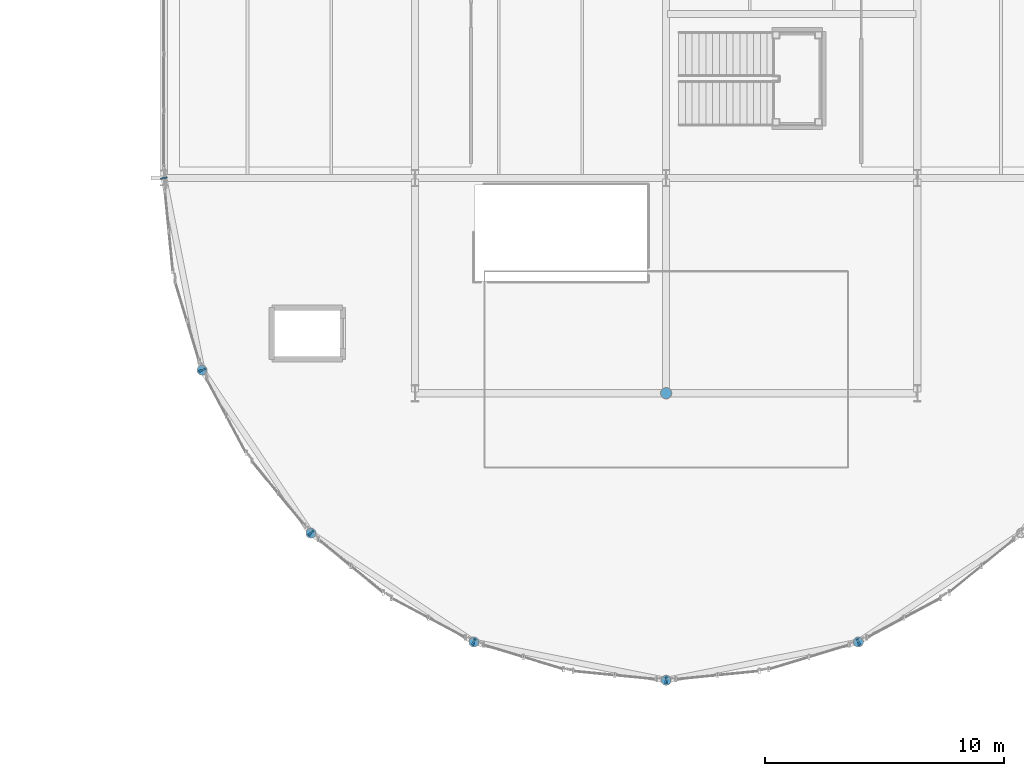
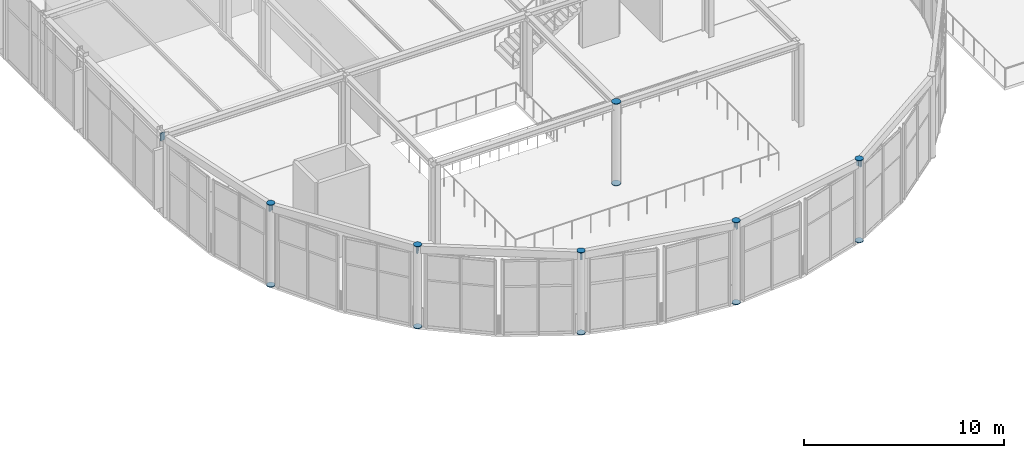
# One storey, part 125 of 195: 23 discrete accessories.
"""IFC4 building model written with IfcOpenShell, lengths in metres."""

import ifcopenshell
import ifcopenshell.guid

model = None  # the IFC model being written
_history = None  # IfcOwnerHistory: only IFC2X3 demands one
_inside = {}  # id of a spatial element -> (the spatial element, [elements in it])
_under = {}  # id of a project, library or spatial element -> (it, [spatial elements below it])
_declared = {}  # id of a project -> (the project, [libraries it declares])
_typed = {}  # id of a type object -> (the type object, [elements of that type])
_made_of = {}  # id of a material, layer set ... -> (it, [elements and type objects made of it])


def new_model(schema):
    """Start an empty IFC model of exactly this schema.

    Asked for "IFC4X3", IfcOpenShell would pick the latest addendum, in which some entities
    have other attributes; the version numbers below select the first issue.
    IFC2X3 requires an IfcOwnerHistory on every rooted entity: one is made here for all.
    """
    global model, _history
    if schema == "IFC4X3":
        model = ifcopenshell.file(schema_version=(4, 3, 0, 0))
    else:
        model = ifcopenshell.file(schema=schema)
    _inside.clear()
    _under.clear()
    _declared.clear()
    _typed.clear()
    _made_of.clear()
    _history = None
    if model.schema == "IFC2X3":
        org = make("IfcOrganization", Name="unknown")
        user = make(
            "IfcPersonAndOrganization",
            ThePerson=make("IfcPerson", FamilyName="unknown"),
            TheOrganization=org,
        )
        app = make(
            "IfcApplication",
            ApplicationDeveloper=org,
            Version="unknown",
            ApplicationFullName="unknown",
            ApplicationIdentifier="unknown",
        )
        _history = make(
            "IfcOwnerHistory",
            OwningUser=user,
            OwningApplication=app,
            ChangeAction="ADDED",
            CreationDate=0,
        )
    return model


def make(cls, **values):
    """One entity of the class cls with the attributes given. An attribute that is None is left unset."""
    return model.create_entity(
        cls, **{name: value for name, value in values.items() if value is not None}
    )


def rooted(cls, **values):
    """An entity with a GlobalId (a new one), such as an element, a storey or a relation."""
    return make(cls, GlobalId=ifcopenshell.guid.new(), OwnerHistory=_history, **values)


def si_unit(unit_type, name, prefix=None):
    """IfcSIUnit, for example si_unit("LENGTHUNIT", "METRE", prefix="MILLI")."""
    return make("IfcSIUnit", UnitType=unit_type, Prefix=prefix, Name=name)


def assignment(units):
    """IfcUnitAssignment: the units of a project."""
    return None if units is None else make("IfcUnitAssignment", Units=units)


def point(xyz):
    """IfcCartesianPoint."""
    return None if xyz is None else make("IfcCartesianPoint", Coordinates=xyz)


def direction(xyz):
    """IfcDirection."""
    return None if xyz is None else make("IfcDirection", DirectionRatios=xyz)


def frame(location, z_axis=None, x_axis=None):
    """IfcAxis2Placement3D, a coordinate frame: its origin and axes. An axis left out is left unset."""
    return make(
        "IfcAxis2Placement3D",
        Location=point(location),
        Axis=direction(z_axis),
        RefDirection=direction(x_axis),
    )


def frame_2d(location, x_axis=None):
    """IfcAxis2Placement2D, a coordinate frame in the plane: its origin and x axis."""
    return make(
        "IfcAxis2Placement2D", Location=point(location), RefDirection=direction(x_axis)
    )


def origin():
    """The frame at (0, 0, 0) with its axes left unset."""
    return frame((0.0, 0.0, 0.0))


def origin_2d():
    """The frame at (0, 0) in the plane with its x axis left unset."""
    return frame_2d((0.0, 0.0))


def place(relative_to, where):
    """IfcLocalPlacement: puts the frame where relative to a parent placement (None: the world)."""
    return make(
        "IfcLocalPlacement", PlacementRelTo=relative_to, RelativePlacement=where
    )


def context(
    kind, dimensions, precision=None, world=None, true_north=None, identifier=None
):
    """IfcGeometricRepresentationContext, for example the 3D "Model" context."""
    return make(
        "IfcGeometricRepresentationContext",
        ContextIdentifier=identifier,
        ContextType=kind,
        CoordinateSpaceDimension=dimensions,
        Precision=precision,
        WorldCoordinateSystem=world,
        TrueNorth=true_north,
    )


def subcontext(parent, identifier, kind, view, scale=None):
    """IfcGeometricRepresentationSubContext, for example "Body" below "Model"."""
    return make(
        "IfcGeometricRepresentationSubContext",
        ContextIdentifier=identifier,
        ContextType=kind,
        ParentContext=parent,
        TargetScale=scale,
        TargetView=view,
    )


def project(units=None, contexts=None):
    """IfcProject with its units and contexts."""
    return rooted(
        "IfcProject",
        Name="project",
        RepresentationContexts=contexts,
        UnitsInContext=assignment(units),
    )


def spatial(cls, under=None, at=None, **own):
    """A site, building, storey or space (cls), placed at a placement, below another one or the project."""
    s = rooted(cls, ObjectPlacement=at, **own)
    if under is not None:
        _under.setdefault(under.id(), (under, []))[1].append(s)
    return s


def profile(cls, at=None, kind="AREA", **sizes):
    """A parametric profile (cls). Its sizes go by their IFC names, for example OverallWidth=200.0."""
    return make(cls, ProfileType=kind, Position=at, **sizes)


def rectangle(**sizes):
    """IfcRectangleProfileDef."""
    return profile("IfcRectangleProfileDef", **sizes)


def circle(**sizes):
    """IfcCircleProfileDef."""
    return profile("IfcCircleProfileDef", **sizes)


def extrude(swept, where, along, depth):
    """IfcExtrudedAreaSolid: the profile swept, set in the frame where, extruded along a direction by depth."""
    return make(
        "IfcExtrudedAreaSolid",
        SweptArea=swept,
        Position=where,
        ExtrudedDirection=direction(along),
        Depth=depth,
    )


def shape(context_of_items, identifier, shape_type, items):
    """IfcShapeRepresentation: the items that make up one representation, for example the "Body"."""
    return make(
        "IfcShapeRepresentation",
        ContextOfItems=context_of_items,
        RepresentationIdentifier=identifier,
        RepresentationType=shape_type,
        Items=items,
    )


def material(Name=None, Category=None):
    """IfcMaterial."""
    return make("IfcMaterial", Name=Name, Category=Category)


def made_of(thing, what):
    """Note that an element or type object is made of a material, layer set ...; save() writes the relation."""
    if what is not None:
        _made_of.setdefault(what.id(), (what, []))[1].append(thing)
    return thing


def element(
    cls,
    number,
    at=None,
    inside=None,
    cuts=None,
    type_object=None,
    material=None,
    context=None,
    identifier="Body",
    shape_type=None,
    held_by="IfcProductDefinitionShape",
    body=None,
    shapes=None,
    **own,
):
    """One element of the class cls, such as IfcWall. Its Tag is "e" and its number.

    at: its placement. inside: the storey or other place that contains it. cuts: it is an
    opening in that element (IfcRelVoidsElement). A single representation is given by context,
    identifier, shape_type and body (its items); several are given by shapes. held_by: the class
    of the entity that holds the representations. save() writes the other relations.
    """
    e = rooted(cls, Tag="e%d" % number, ObjectPlacement=at, **own)
    if body is not None:
        shapes = [shape(context, identifier, shape_type, body)]
    if shapes is not None:
        e.Representation = make(held_by, Representations=shapes)
    if inside is not None:
        _inside.setdefault(inside.id(), (inside, []))[1].append(e)
    if cuts is not None:
        rooted(
            "IfcRelVoidsElement", RelatingBuildingElement=cuts, RelatedOpeningElement=e
        )
    if type_object is not None:
        _typed.setdefault(type_object.id(), (type_object, []))[1].append(e)
    return made_of(e, material)


def aggregate(whole, parts):
    """IfcRelAggregates: a whole, such as a stair, and the parts it consists of."""
    return rooted("IfcRelAggregates", RelatingObject=whole, RelatedObjects=parts)


def save(model, path):
    """Write the relations noted so far, then the file.

    IfcRelAggregates (storeys below a building ...), IfcRelContainedInSpatialStructure (elements
    in a storey), IfcRelDefinesByType, IfcRelAssociatesMaterial and IfcRelDeclares: one each for
    every whole, place, type object, material and project.
    """
    for whole, parts in _under.values():
        aggregate(whole, parts)
    for where, things in _inside.values():
        rooted(
            "IfcRelContainedInSpatialStructure",
            RelatedElements=things,
            RelatingStructure=where,
        )
    for kind, things in _typed.values():
        rooted("IfcRelDefinesByType", RelatedObjects=things, RelatingType=kind)
    for what, things in _made_of.values():
        rooted("IfcRelAssociatesMaterial", RelatedObjects=things, RelatingMaterial=what)
    for by, libraries in _declared.values():
        rooted("IfcRelDeclares", RelatingContext=by, RelatedDefinitions=libraries)
    model.write(path)


model = new_model("IFC4")

# Units and contexts
model_context = context("Model", 3, precision=1e-05, world=origin(), true_north=direction((0.0, 1.0)))
body_context = subcontext(model_context, "Body", "Model", "MODEL_VIEW")
ifc_project = project(units=[si_unit("LENGTHUNIT", "METRE"), si_unit("AREAUNIT", "SQUARE_METRE"), si_unit("VOLUMEUNIT", "CUBIC_METRE"), si_unit("PLANEANGLEUNIT", "RADIAN"), si_unit("MASSUNIT", "GRAM", prefix="KILO")], contexts=[model_context])

# Site, building, storey
site_placement = place(None, origin())
site = spatial("IfcSite", under=ifc_project, at=site_placement, CompositionType="ELEMENT")
building_placement = place(site_placement, origin())
building = spatial("IfcBuilding", under=site, at=building_placement, Name="Marlcrest Central Station", CompositionType="ELEMENT")
storey_placement = place(building_placement, frame((0.0, 0.0, 9.800048828125)))
storey = spatial("IfcBuildingStorey", under=building, at=storey_placement, Name="L02", CompositionType="ELEMENT", Elevation=9.800048828125)

# Discrete accessories
ifc_material = material(Name="Steel S355", Category="steel")
for number, where, z_axis, x_axis, name in (
    (1, (88.59912109375, 14.464111328125, -0.014892578125), (0.0, 0.0, 1.0), (1.0, 0.0, 0.0), "endcap-col-SC-10-L02-0789-s"),
    (2, (88.59912109375, 14.464111328125, 4.985107421875), (0.0, 0.0, 1.0), (1.0, 0.0, 0.0), "endcap-col-SC-10-L02-0789-e"),
    (3, (93.15087890625, 7.65087890625, -0.014892578125), (0.0, 0.0, 1.0), (1.0, 0.0, 0.0), "endcap-col-SC-10-L02-0793-s"),
    (4, (93.15087890625, 7.65087890625, 4.985107421875), (0.0, 0.0, 1.0), (1.0, 0.0, 0.0), "endcap-col-SC-10-L02-0793-e"),
    (5, (99.964111328125, 3.09912109375, -0.014892578125), (0.0, 0.0, 1.0), (1.0, 0.0, 0.0), "endcap-col-SC-10-L02-0797-s"),
    (6, (99.964111328125, 3.09912109375, 4.985107421875), (0.0, 0.0, 1.0), (1.0, 0.0, 0.0), "endcap-col-SC-10-L02-0797-e"),
    (7, (108.0, 1.5, -0.014892578125), (0.0, 0.0, 1.0), (1.0, 0.0, 0.0), "endcap-col-SC-10-L02-0801-s"),
    (8, (108.0, 1.5, 4.985107421875), (0.0, 0.0, 1.0), (1.0, 0.0, 0.0), "endcap-col-SC-10-L02-0801-e"),
    (9, (116.035888671875, 3.09912109375, -0.014892578125), (0.0, 0.0, 1.0), (1.0, 0.0, 0.0), "endcap-col-SC-10-L02-0805-s"),
    (10, (116.035888671875, 3.09912109375, 4.985107421875), (0.0, 0.0, 1.0), (1.0, 0.0, 0.0), "endcap-col-SC-10-L02-0805-e"),
):
    element("IfcDiscreteAccessory", number, at=place(storey_placement, frame(where, z_axis=z_axis, x_axis=x_axis)), inside=storey, material=ifc_material, Name=name, ObjectType="END_CAP_PLATE", PredefinedType="BRACKET", context=body_context, shape_type="SweptSolid", body=[
        extrude(circle(Radius=0.211181640625, at=origin_2d()), origin(), (0.0, 0.0, 1.0), 0.0400390625),
    ])
for number, where, z_axis, x_axis, name in (
    (11, (108.0, 13.5, -0.014892578125), (0.0, 0.0, 1.0), (1.0, 0.0, 0.0), "endcap-col-SC-11-L02-0821-s"),
    (12, (108.0, 13.5, 4.969970703125), (0.0, 0.0, 1.0), (1.0, 0.0, 0.0), "endcap-col-SC-11-L02-0821-e"),
):
    element("IfcDiscreteAccessory", number, at=place(storey_placement, frame(where, z_axis=z_axis, x_axis=x_axis)), inside=storey, material=ifc_material, Name=name, ObjectType="END_CAP_PLATE", PredefinedType="BRACKET", context=body_context, shape_type="SweptSolid", body=[
        extrude(circle(Radius=0.236572265625, at=origin_2d()), origin(), (0.0, 0.0, 1.0), 0.0400390625),
    ])
for number, where, z_axis, x_axis, name in (
    (13, (86.9970703125, 22.5146484375, 4.77001953125), (0.19517056122, -0.980769316421, 0.0), (0.980769316421, 0.19517056122, 0.0), "endcap-bm-SP-02-L02-01370-s"),
    (14, (88.59423828125, 14.488525390625, 4.77001953125), (0.19517056122, -0.980769316421, 0.0), (0.980769316421, 0.19517056122, 0.0), "endcap-bm-SP-02-L02-01370-e"),
    (15, (88.5908203125, 14.4765625, 4.77001953125), (0.55551129271, -0.831508991937, 0.0), (0.831508991937, 0.55551129271, 0.0), "endcap-bm-SP-02-L02-01371-s"),
    (16, (93.136962890625, 7.671630859375, 4.77001953125), (0.55551129271, -0.831508991937, 0.0), (0.831508991937, 0.55551129271, 0.0), "endcap-bm-SP-02-L02-01371-e"),
    (17, (93.138427734375, 7.6591796875, 4.77001953125), (0.831508991937, -0.55551129271, 0.0), (0.55551129271, 0.831508991937, 0.0), "endcap-bm-SP-02-L02-01372-s"),
    (18, (99.943359375, 3.113037109375, 4.77001953125), (0.831508991937, -0.55551129271, 0.0), (0.55551129271, 0.831508991937, 0.0), "endcap-bm-SP-02-L02-01372-e"),
    (19, (99.949462890625, 3.10205078125, 4.77001953125), (0.980769316421, -0.19517056122, 0.0), (0.19517056122, 0.980769316421, 0.0), "endcap-bm-SP-02-L02-01373-s"),
    (20, (107.9755859375, 1.5048828125, 4.77001953125), (0.980769316421, -0.19517056122, 0.0), (0.19517056122, 0.980769316421, 0.0), "endcap-bm-SP-02-L02-01373-e"),
    (21, (107.9853515625, 1.4970703125, 4.77001953125), (0.980769316421, 0.19517056122, 0.0), (-0.19517056122, 0.980769316421, 0.0), "endcap-bm-SP-02-L02-01374-s"),
    (22, (116.011474609375, 3.09423828125, 4.77001953125), (0.980769316421, 0.19517056122, 0.0), (-0.19517056122, 0.980769316421, 0.0), "endcap-bm-SP-02-L02-01374-e"),
    (23, (116.0234375, 3.0908203125, 4.77001953125), (0.831508991937, 0.55551129271, 0.0), (-0.55551129271, 0.831508991937, 0.0), "endcap-bm-SP-02-L02-01375-s"),
):
    element("IfcDiscreteAccessory", number, at=place(storey_placement, frame(where, z_axis=z_axis, x_axis=x_axis)), inside=storey, material=ifc_material, Name=name, ObjectType="END_CAP_PLATE", PredefinedType="BRACKET", context=body_context, shape_type="SweptSolid", body=[
        extrude(rectangle(XDim=0.26611328125, YDim=0.466064453125, at=origin_2d()), origin(), (0.0, 0.0, 1.0), 0.0400390625),
    ])

save(model, "model.ifc")
